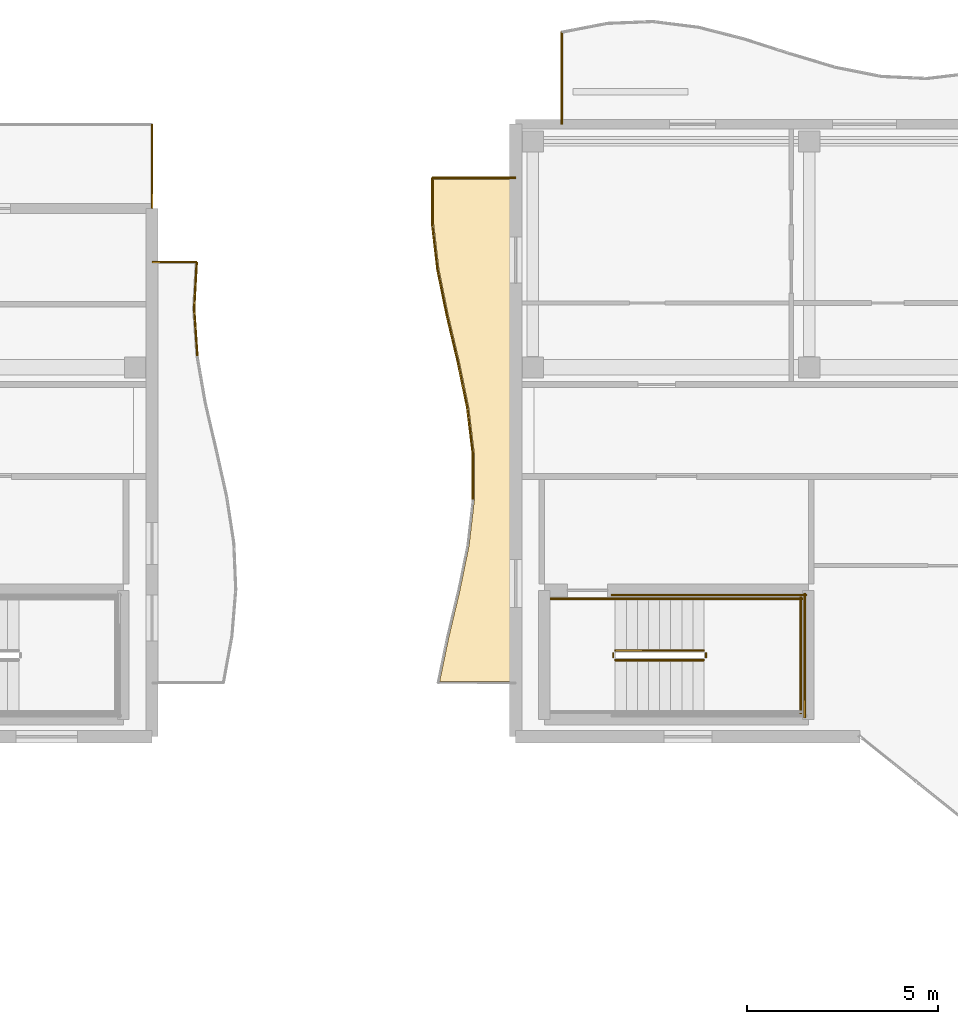
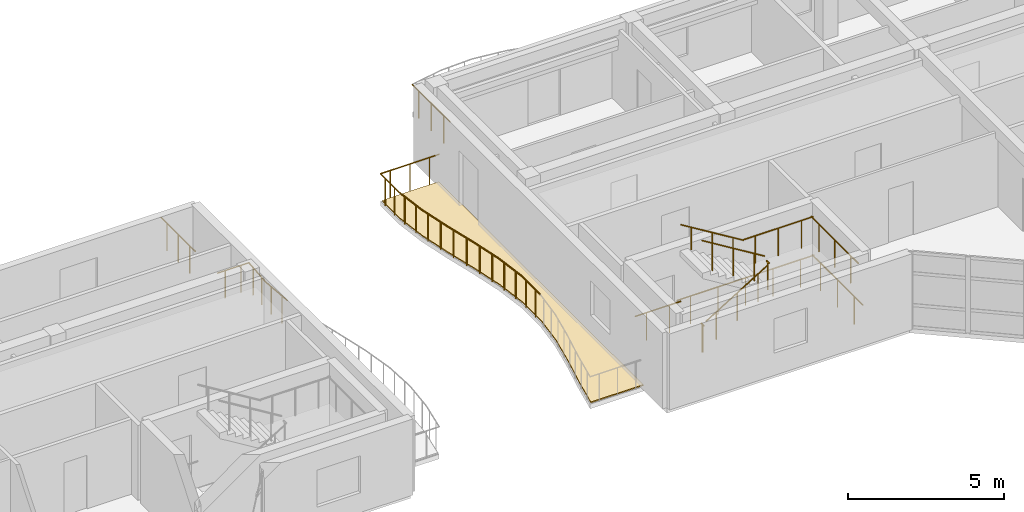
# One storey, part 52 of 54: 23 railings, 1 covering.
"""IFC4 building model written with IfcOpenShell, lengths in metres."""

import ifcopenshell
import ifcopenshell.guid

model = None  # the IFC model being written
_history = None  # IfcOwnerHistory: only IFC2X3 demands one
_inside = {}  # id of a spatial element -> (the spatial element, [elements in it])
_under = {}  # id of a project, library or spatial element -> (it, [spatial elements below it])
_declared = {}  # id of a project -> (the project, [libraries it declares])
_typed = {}  # id of a type object -> (the type object, [elements of that type])
_made_of = {}  # id of a material, layer set ... -> (it, [elements and type objects made of it])


def new_model(schema):
    """Start an empty IFC model of exactly this schema.

    Asked for "IFC4X3", IfcOpenShell would pick the latest addendum, in which some entities
    have other attributes; the version numbers below select the first issue.
    IFC2X3 requires an IfcOwnerHistory on every rooted entity: one is made here for all.
    """
    global model, _history
    if schema == "IFC4X3":
        model = ifcopenshell.file(schema_version=(4, 3, 0, 0))
    else:
        model = ifcopenshell.file(schema=schema)
    _inside.clear()
    _under.clear()
    _declared.clear()
    _typed.clear()
    _made_of.clear()
    _history = None
    if model.schema == "IFC2X3":
        org = make("IfcOrganization", Name="unknown")
        user = make(
            "IfcPersonAndOrganization",
            ThePerson=make("IfcPerson", FamilyName="unknown"),
            TheOrganization=org,
        )
        app = make(
            "IfcApplication",
            ApplicationDeveloper=org,
            Version="unknown",
            ApplicationFullName="unknown",
            ApplicationIdentifier="unknown",
        )
        _history = make(
            "IfcOwnerHistory",
            OwningUser=user,
            OwningApplication=app,
            ChangeAction="ADDED",
            CreationDate=0,
        )
    return model


def make(cls, **values):
    """One entity of the class cls with the attributes given. An attribute that is None is left unset."""
    return model.create_entity(
        cls, **{name: value for name, value in values.items() if value is not None}
    )


def rooted(cls, **values):
    """An entity with a GlobalId (a new one), such as an element, a storey or a relation."""
    return make(cls, GlobalId=ifcopenshell.guid.new(), OwnerHistory=_history, **values)


def si_unit(unit_type, name, prefix=None):
    """IfcSIUnit, for example si_unit("LENGTHUNIT", "METRE", prefix="MILLI")."""
    return make("IfcSIUnit", UnitType=unit_type, Prefix=prefix, Name=name)


def assignment(units):
    """IfcUnitAssignment: the units of a project."""
    return None if units is None else make("IfcUnitAssignment", Units=units)


def point(xyz):
    """IfcCartesianPoint."""
    return None if xyz is None else make("IfcCartesianPoint", Coordinates=xyz)


def direction(xyz):
    """IfcDirection."""
    return None if xyz is None else make("IfcDirection", DirectionRatios=xyz)


def frame(location, z_axis=None, x_axis=None):
    """IfcAxis2Placement3D, a coordinate frame: its origin and axes. An axis left out is left unset."""
    return make(
        "IfcAxis2Placement3D",
        Location=point(location),
        Axis=direction(z_axis),
        RefDirection=direction(x_axis),
    )


def frame_2d(location, x_axis=None):
    """IfcAxis2Placement2D, a coordinate frame in the plane: its origin and x axis."""
    return make(
        "IfcAxis2Placement2D", Location=point(location), RefDirection=direction(x_axis)
    )


def origin():
    """The frame at (0, 0, 0) with its axes left unset."""
    return frame((0.0, 0.0, 0.0))


def origin_2d():
    """The frame at (0, 0) in the plane with its x axis left unset."""
    return frame_2d((0.0, 0.0))


def place(relative_to, where):
    """IfcLocalPlacement: puts the frame where relative to a parent placement (None: the world)."""
    return make(
        "IfcLocalPlacement", PlacementRelTo=relative_to, RelativePlacement=where
    )


def context(
    kind, dimensions, precision=None, world=None, true_north=None, identifier=None
):
    """IfcGeometricRepresentationContext, for example the 3D "Model" context."""
    return make(
        "IfcGeometricRepresentationContext",
        ContextIdentifier=identifier,
        ContextType=kind,
        CoordinateSpaceDimension=dimensions,
        Precision=precision,
        WorldCoordinateSystem=world,
        TrueNorth=true_north,
    )


def subcontext(parent, identifier, kind, view, scale=None):
    """IfcGeometricRepresentationSubContext, for example "Body" below "Model"."""
    return make(
        "IfcGeometricRepresentationSubContext",
        ContextIdentifier=identifier,
        ContextType=kind,
        ParentContext=parent,
        TargetScale=scale,
        TargetView=view,
    )


def project(units=None, contexts=None):
    """IfcProject with its units and contexts."""
    return rooted(
        "IfcProject",
        Name="project",
        RepresentationContexts=contexts,
        UnitsInContext=assignment(units),
    )


def spatial(cls, under=None, at=None, **own):
    """A site, building, storey or space (cls), placed at a placement, below another one or the project."""
    s = rooted(cls, ObjectPlacement=at, **own)
    if under is not None:
        _under.setdefault(under.id(), (under, []))[1].append(s)
    return s


def polyline(points):
    """IfcPolyline through the points."""
    return make("IfcPolyline", Points=[point(p) for p in points])


def profile(cls, at=None, kind="AREA", **sizes):
    """A parametric profile (cls). Its sizes go by their IFC names, for example OverallWidth=200.0."""
    return make(cls, ProfileType=kind, Position=at, **sizes)


def circle(**sizes):
    """IfcCircleProfileDef."""
    return profile("IfcCircleProfileDef", **sizes)


def outline(outer, holes=None, kind="AREA"):
    """IfcArbitraryClosedProfileDef: a profile drawn as a closed curve; with holes, ...WithVoids."""
    if holes is None:
        return make("IfcArbitraryClosedProfileDef", ProfileType=kind, OuterCurve=outer)
    return make(
        "IfcArbitraryProfileDefWithVoids",
        ProfileType=kind,
        OuterCurve=outer,
        InnerCurves=holes,
    )


def extrude(swept, where, along, depth):
    """IfcExtrudedAreaSolid: the profile swept, set in the frame where, extruded along a direction by depth."""
    return make(
        "IfcExtrudedAreaSolid",
        SweptArea=swept,
        Position=where,
        ExtrudedDirection=direction(along),
        Depth=depth,
    )


def shape(context_of_items, identifier, shape_type, items):
    """IfcShapeRepresentation: the items that make up one representation, for example the "Body"."""
    return make(
        "IfcShapeRepresentation",
        ContextOfItems=context_of_items,
        RepresentationIdentifier=identifier,
        RepresentationType=shape_type,
        Items=items,
    )


def material(Name=None, Category=None):
    """IfcMaterial."""
    return make("IfcMaterial", Name=Name, Category=Category)


def layer(
    of_material, thickness, ventilated=None, Name=None, Category=None, Priority=None
):
    """IfcMaterialLayer: one layer of a wall or slab, of a material (None: an air gap)."""
    return make(
        "IfcMaterialLayer",
        Material=of_material,
        LayerThickness=thickness,
        IsVentilated=ventilated,
        Name=Name,
        Category=Category,
        Priority=Priority,
    )


def layer_set(layers, Name=None):
    """IfcMaterialLayerSet."""
    return make("IfcMaterialLayerSet", MaterialLayers=layers, LayerSetName=Name)


def made_of(thing, what):
    """Note that an element or type object is made of a material, layer set ...; save() writes the relation."""
    if what is not None:
        _made_of.setdefault(what.id(), (what, []))[1].append(thing)
    return thing


def type_object(cls, material=None, **own):
    """A type object (cls), such as IfcWallType, which elements share."""
    return made_of(rooted(cls, **own), material)


def element(
    cls,
    number,
    at=None,
    inside=None,
    cuts=None,
    type_object=None,
    material=None,
    context=None,
    identifier="Body",
    shape_type=None,
    held_by="IfcProductDefinitionShape",
    body=None,
    shapes=None,
    **own,
):
    """One element of the class cls, such as IfcWall. Its Tag is "e" and its number.

    at: its placement. inside: the storey or other place that contains it. cuts: it is an
    opening in that element (IfcRelVoidsElement). A single representation is given by context,
    identifier, shape_type and body (its items); several are given by shapes. held_by: the class
    of the entity that holds the representations. save() writes the other relations.
    """
    e = rooted(cls, Tag="e%d" % number, ObjectPlacement=at, **own)
    if body is not None:
        shapes = [shape(context, identifier, shape_type, body)]
    if shapes is not None:
        e.Representation = make(held_by, Representations=shapes)
    if inside is not None:
        _inside.setdefault(inside.id(), (inside, []))[1].append(e)
    if cuts is not None:
        rooted(
            "IfcRelVoidsElement", RelatingBuildingElement=cuts, RelatedOpeningElement=e
        )
    if type_object is not None:
        _typed.setdefault(type_object.id(), (type_object, []))[1].append(e)
    return made_of(e, material)


def aggregate(whole, parts):
    """IfcRelAggregates: a whole, such as a stair, and the parts it consists of."""
    return rooted("IfcRelAggregates", RelatingObject=whole, RelatedObjects=parts)


def save(model, path):
    """Write the relations noted so far, then the file.

    IfcRelAggregates (storeys below a building ...), IfcRelContainedInSpatialStructure (elements
    in a storey), IfcRelDefinesByType, IfcRelAssociatesMaterial and IfcRelDeclares: one each for
    every whole, place, type object, material and project.
    """
    for whole, parts in _under.values():
        aggregate(whole, parts)
    for where, things in _inside.values():
        rooted(
            "IfcRelContainedInSpatialStructure",
            RelatedElements=things,
            RelatingStructure=where,
        )
    for kind, things in _typed.values():
        rooted("IfcRelDefinesByType", RelatedObjects=things, RelatingType=kind)
    for what, things in _made_of.values():
        rooted("IfcRelAssociatesMaterial", RelatedObjects=things, RelatingMaterial=what)
    for by, libraries in _declared.values():
        rooted("IfcRelDeclares", RelatingContext=by, RelatedDefinitions=libraries)
    model.write(path)


model = new_model("IFC4")

# Units and contexts
model_context = context("Model", 3, precision=1e-05, world=origin(), true_north=direction((0.0, 1.0)))
body_context = subcontext(model_context, "Body", "Model", "MODEL_VIEW")
ifc_project = project(units=[si_unit("LENGTHUNIT", "METRE"), si_unit("AREAUNIT", "SQUARE_METRE"), si_unit("VOLUMEUNIT", "CUBIC_METRE"), si_unit("PLANEANGLEUNIT", "RADIAN"), si_unit("MASSUNIT", "GRAM", prefix="KILO")], contexts=[model_context])

# Site, building, storey
site_placement = place(None, origin())
site = spatial("IfcSite", under=ifc_project, at=site_placement, CompositionType="ELEMENT")
building_placement = place(site_placement, origin())
building = spatial("IfcBuilding", under=site, at=building_placement, Name="Keldmere Railside Commons", CompositionType="ELEMENT")
storey_placement = place(building_placement, frame((0.0, 0.0, 26.56005859375)))
storey = spatial("IfcBuildingStorey", under=building, at=storey_placement, Name="L08", CompositionType="ELEMENT", Elevation=26.56005859375)

# Railings
ifc_material_1 = material(Name="Steel F-24 (S235)", Category="steel")
railing_type_1 = type_object("IfcRailingType", Name="Balcony & Terrace Steel Balustrade 1100", PredefinedType="BALUSTRADE", material=ifc_material_1)
railing_1_placement = place(storey_placement, frame((138.684814453125, 109.95556640625, 0.0)))
element("IfcRailing", 1, at=railing_1_placement, inside=storey, type_object=railing_type_1, Name="GR-1 GRD-L08-2819", PredefinedType="BALUSTRADE", context=body_context, shape_type="SweptSolid", body=[
    extrude(circle(Radius=0.02392578125, at=origin_2d()), frame((0.0, 0.0, 1.076171875), z_axis=(-0.069150890051, 0.997606212092, 0.0), x_axis=(-0.997606212092, -0.069150890051, 0.0)), (0.0, 0.0, 1.0), 1.22509765625),
    extrude(circle(Radius=0.02099609375, at=origin_2d()), frame((-0.021240234375, 0.3056640625, 0.0)), (0.0, 0.0, 1.0), 1.048095703125),
    extrude(circle(Radius=0.02099609375, at=origin_2d()), frame((-0.0634765625, 0.91650390625, 0.0)), (0.0, 0.0, 1.0), 1.048095703125),
])
railing_2_placement = place(storey_placement, frame((138.60009765625, 111.177734375, 0.0)))
element("IfcRailing", 2, at=railing_2_placement, inside=storey, type_object=railing_type_1, Name="GR-1 GRD-L08-2820", PredefinedType="BALUSTRADE", context=body_context, shape_type="SweptSolid", body=[
    extrude(circle(Radius=0.02392578125, at=origin_2d()), frame((0.0, 0.0, 1.076171875), z_axis=(0.055845592651, 0.998439417181, 0.0), x_axis=(-0.998439417181, 0.055845592651, 0.0)), (0.0, 0.0, 1.0), 1.22412109375),
    extrude(circle(Radius=0.02099609375, at=origin_2d()), frame((0.01708984375, 0.3056640625, 0.0)), (0.0, 0.0, 1.0), 1.048095703125),
    extrude(circle(Radius=0.02099609375, at=origin_2d()), frame((0.05126953125, 0.91650390625, 0.0)), (0.0, 0.0, 1.0), 1.048095703125),
])
railing_3_placement = place(storey_placement, frame((138.66845703125, 112.39990234375, 0.0)))
element("IfcRailing", 3, at=railing_3_placement, inside=storey, type_object=railing_type_1, Name="GR-1 GRD-L08-2821", PredefinedType="BALUSTRADE", context=body_context, shape_type="SweptSolid", body=[
    extrude(circle(Radius=0.02392578125, at=origin_2d()), frame((0.0, 0.0, 1.076171875), z_axis=(-1.0, 0.0, 0.0), x_axis=(0.0, -1.0, 0.0)), (0.0, 0.0, 1.0), 1.16845703125),
    extrude(circle(Radius=0.02099609375, at=origin_2d()), frame((-0.2919921875, 0.0, 0.0)), (0.0, 0.0, 1.0), 1.048095703125),
    extrude(circle(Radius=0.02099609375, at=origin_2d()), frame((-0.87646484375, 0.0, 0.0)), (0.0, 0.0, 1.0), 1.048095703125),
])
railing_4_placement = place(storey_placement, frame((137.5, 116.0, 0.0)))
element("IfcRailing", 4, at=railing_4_placement, inside=storey, type_object=railing_type_1, Name="GR-1 GRD-L08-2838", PredefinedType="BALUSTRADE", context=body_context, shape_type="SweptSolid", body=[
    extrude(circle(Radius=0.02392578125, at=origin_2d()), frame((0.0, 0.0, 1.076171875), z_axis=(0.0, -1.0, 0.0), x_axis=(1.0, 0.0, 0.0)), (0.0, 0.0, 1.0), 2.199951171875),
    extrude(circle(Radius=0.02099609375, at=origin_2d()), frame((0.0, -0.36669921875, 0.0)), (0.0, 0.0, 1.0), 1.048095703125),
    extrude(circle(Radius=0.02099609375, at=origin_2d()), frame((0.0, -1.10009765625, 0.0)), (0.0, 0.0, 1.0), 1.048095703125),
    extrude(circle(Radius=0.02099609375, at=origin_2d()), frame((0.0, -1.833251953125, 0.0)), (0.0, 0.0, 1.0), 1.048095703125),
])
railing_5_placement = place(storey_placement, frame((148.199951171875, 116.0, 0.0)))
element("IfcRailing", 5, at=railing_5_placement, inside=storey, type_object=railing_type_1, Name="GR-1 GRD-L08-4087", PredefinedType="BALUSTRADE", context=body_context, shape_type="SweptSolid", body=[
    extrude(circle(Radius=0.02392578125, at=origin_2d()), frame((0.0, 0.0, 1.076171875), z_axis=(0.0, 1.0, 0.0), x_axis=(-1.0, 0.0, 0.0)), (0.0, 0.0, 1.0), 2.413818359375),
    extrude(circle(Radius=0.02099609375, at=origin_2d()), frame((0.0, 0.40234375, 0.0)), (0.0, 0.0, 1.0), 1.048095703125),
    extrude(circle(Radius=0.02099609375, at=origin_2d()), frame((0.0, 1.20703125, 0.0)), (0.0, 0.0, 1.0), 1.048095703125),
    extrude(circle(Radius=0.02099609375, at=origin_2d()), frame((0.0, 2.011474609375, 0.0)), (0.0, 0.0, 1.0), 1.048095703125),
])
railing_6_placement = place(storey_placement, frame((145.8828125, 106.199951171875, 0.0)))
element("IfcRailing", 6, at=railing_6_placement, inside=storey, type_object=railing_type_1, Name="GR-1 GRD-L08-4199", PredefinedType="BALUSTRADE", context=body_context, shape_type="SweptSolid", body=[
    extrude(circle(Radius=0.02392578125, at=origin_2d()), frame((0.0, 0.0, 1.076171875), z_axis=(-0.002644955143, 0.9999965021, 0.0), x_axis=(-0.9999965021, -0.002644955143, 0.0)), (0.0, 0.0, 1.0), 1.199951171875),
    extrude(circle(Radius=0.02099609375, at=origin_2d()), frame((-0.000732421875, 0.300048828125, 0.0)), (0.0, 0.0, 1.0), 1.048095703125),
    extrude(circle(Radius=0.02099609375, at=origin_2d()), frame((-0.00244140625, 0.89990234375, 0.0)), (0.0, 0.0, 1.0), 1.048095703125),
])
railing_7_placement = place(storey_placement, frame((145.879638671875, 107.39990234375, 0.0)))
element("IfcRailing", 7, at=railing_7_placement, inside=storey, type_object=railing_type_1, Name="GR-1 GRD-L08-4200", PredefinedType="BALUSTRADE", context=body_context, shape_type="SweptSolid", body=[
    extrude(circle(Radius=0.02392578125, at=origin_2d()), frame((0.0, 0.0, 1.076171875), z_axis=(-0.119758384576, 0.992803066738, 0.0), x_axis=(-0.992803066738, -0.119758384576, 0.0)), (0.0, 0.0, 1.0), 1.208984375),
    extrude(circle(Radius=0.02099609375, at=origin_2d()), frame((-0.0361328125, 0.300048828125, 0.0)), (0.0, 0.0, 1.0), 1.048095703125),
    extrude(circle(Radius=0.02099609375, at=origin_2d()), frame((-0.108642578125, 0.900146484375, 0.0)), (0.0, 0.0, 1.0), 1.048095703125),
])
railing_8_placement = place(storey_placement, frame((145.73486328125, 108.60009765625, 0.0)))
element("IfcRailing", 8, at=railing_8_placement, inside=storey, type_object=railing_type_1, Name="GR-1 GRD-L08-4201", PredefinedType="BALUSTRADE", context=body_context, shape_type="SweptSolid", body=[
    extrude(circle(Radius=0.02392578125, at=origin_2d()), frame((0.0, 0.0, 1.076171875), z_axis=(-0.202434299051, 0.979295846294, 0.0), x_axis=(-0.979295846294, -0.202434299051, 0.0)), (0.0, 0.0, 1.0), 1.225341796875),
    extrude(circle(Radius=0.02099609375, at=origin_2d()), frame((-0.06201171875, 0.300048828125, 0.0)), (0.0, 0.0, 1.0), 1.048095703125),
    extrude(circle(Radius=0.02099609375, at=origin_2d()), frame((-0.18603515625, 0.89990234375, 0.0)), (0.0, 0.0, 1.0), 1.048095703125),
])
railing_9_placement = place(storey_placement, frame((145.48681640625, 109.800048828125, 0.0)))
element("IfcRailing", 9, at=railing_9_placement, inside=storey, type_object=railing_type_1, Name="GR-1 GRD-L08-4202", PredefinedType="BALUSTRADE", context=body_context, shape_type="SweptSolid", body=[
    extrude(circle(Radius=0.02392578125, at=origin_2d()), frame((0.0, 0.0, 1.076171875), z_axis=(-0.231013872374, 0.972950456483, 0.0), x_axis=(-0.972950456483, -0.231013872374, 0.0)), (0.0, 0.0, 1.0), 1.2333984375),
    extrude(circle(Radius=0.02099609375, at=origin_2d()), frame((-0.0712890625, 0.300048828125, 0.0)), (0.0, 0.0, 1.0), 1.048095703125),
    extrude(circle(Radius=0.02099609375, at=origin_2d()), frame((-0.213623046875, 0.89990234375, 0.0)), (0.0, 0.0, 1.0), 1.048095703125),
])
railing_10_placement = place(storey_placement, frame((145.201904296875, 111.0, 0.0)))
element("IfcRailing", 10, at=railing_10_placement, inside=storey, type_object=railing_type_1, Name="GR-1 GRD-L08-4203", PredefinedType="BALUSTRADE", context=body_context, shape_type="SweptSolid", body=[
    extrude(circle(Radius=0.02392578125, at=origin_2d()), frame((0.0, 0.0, 1.076171875), z_axis=(-0.199948294874, 0.979806449957, 0.0), x_axis=(-0.979806449957, -0.199948294874, 0.0)), (0.0, 0.0, 1.0), 1.224609375),
    extrude(circle(Radius=0.02099609375, at=origin_2d()), frame((-0.061279296875, 0.300048828125, 0.0)), (0.0, 0.0, 1.0), 1.048095703125),
    extrude(circle(Radius=0.02099609375, at=origin_2d()), frame((-0.18359375, 0.89990234375, 0.0)), (0.0, 0.0, 1.0), 1.048095703125),
])
railing_11_placement = place(storey_placement, frame((144.95703125, 112.199951171875, 0.0)))
element("IfcRailing", 11, at=railing_11_placement, inside=storey, type_object=railing_type_1, Name="GR-1 GRD-L08-4204", PredefinedType="BALUSTRADE", context=body_context, shape_type="SweptSolid", body=[
    extrude(circle(Radius=0.02392578125, at=origin_2d()), frame((0.0, 0.0, 1.076171875), z_axis=(-0.115598238422, 0.993296052179, 0.0), x_axis=(-0.993296052179, -0.115598238422, 0.0)), (0.0, 0.0, 1.0), 1.2080078125),
    extrude(circle(Radius=0.02099609375, at=origin_2d()), frame((-0.034912109375, 0.300048828125, 0.0)), (0.0, 0.0, 1.0), 1.048095703125),
    extrude(circle(Radius=0.02099609375, at=origin_2d()), frame((-0.104736328125, 0.89990234375, 0.0)), (0.0, 0.0, 1.0), 1.048095703125),
])
railing_12_placement = place(storey_placement, frame((144.8173828125, 113.39990234375, 0.0)))
element("IfcRailing", 12, at=railing_12_placement, inside=storey, type_object=railing_type_1, Name="GR-1 GRD-L08-4205", PredefinedType="BALUSTRADE", context=body_context, shape_type="SweptSolid", body=[
    extrude(circle(Radius=0.02392578125, at=origin_2d()), frame((0.0, 0.0, 1.076171875), z_axis=(0.002441001678, 0.999997020751, 0.0), x_axis=(-0.999997020751, 0.002441001678, 0.0)), (0.0, 0.0, 1.0), 1.2001953125),
    extrude(circle(Radius=0.02099609375, at=origin_2d()), frame((0.000732421875, 0.300048828125, 0.0)), (0.0, 0.0, 1.0), 1.048095703125),
    extrude(circle(Radius=0.02099609375, at=origin_2d()), frame((0.002197265625, 0.900146484375, 0.0)), (0.0, 0.0, 1.0), 1.048095703125),
])
railing_13_placement = place(storey_placement, frame((144.8203125, 114.60009765625, 0.0)))
element("IfcRailing", 13, at=railing_13_placement, inside=storey, type_object=railing_type_1, Name="GR-1 GRD-L08-4206", PredefinedType="BALUSTRADE", context=body_context, shape_type="SweptSolid", body=[
    extrude(circle(Radius=0.02392578125, at=origin_2d()), frame((0.0, 0.0, 1.076171875), z_axis=(1.0, 0.0, 0.0), x_axis=(0.0, 1.0, 0.0)), (0.0, 0.0, 1.0), 2.1796875),
    extrude(circle(Radius=0.02099609375, at=origin_2d()), frame((0.36328125, 0.0, 0.0)), (0.0, 0.0, 1.0), 1.048095703125),
    extrude(circle(Radius=0.02099609375, at=origin_2d()), frame((1.08984375, 0.0, 0.0)), (0.0, 0.0, 1.0), 1.048095703125),
    extrude(circle(Radius=0.02099609375, at=origin_2d()), frame((1.81640625, 0.0, 0.0)), (0.0, 0.0, 1.0), 1.048095703125),
])
railing_type_2 = type_object("IfcRailingType", Name="Stair Well Steel Guardrail 1100", PredefinedType="BALUSTRADE", material=ifc_material_1)
railing_14_placement = place(storey_placement, frame((149.60009765625, 102.0, 0.177734375)))
element("IfcRailing", 14, at=railing_14_placement, inside=storey, type_object=railing_type_2, Name="L08 ST-A2 stair guard 1", PredefinedType="BALUSTRADE", context=body_context, shape_type="SweptSolid", body=[
    extrude(circle(Radius=0.02392578125, at=origin_2d()), frame((0.0, 0.0, 1.076171875), z_axis=(0.85255353654, 0.0, 0.522639902162), x_axis=(0.0, 1.0, 0.0)), (0.0, 0.0, 1.0), 2.720947265625),
    extrude(circle(Radius=0.02099609375, at=origin_2d()), frame((0.38671875, 0.0, 0.237060546875)), (0.0, 0.0, 1.0), 1.048095703125),
    extrude(circle(Radius=0.02099609375, at=origin_2d()), frame((1.159912109375, 0.0, 0.7109375)), (0.0, 0.0, 1.0), 1.048095703125),
    extrude(circle(Radius=0.02099609375, at=origin_2d()), frame((1.93310546875, 0.0, 1.18505859375)), (0.0, 0.0, 1.0), 1.048095703125),
])
railing_15_placement = place(storey_placement, frame((151.969970703125, 102.050048828125, 1.599853515625)))
element("IfcRailing", 15, at=railing_15_placement, inside=storey, type_object=railing_type_2, Name="L08 ST-A2 stair guard 2", PredefinedType="BALUSTRADE", context=body_context, shape_type="SweptSolid", body=[
    extrude(circle(Radius=0.02392578125, at=origin_2d()), frame((0.0, 0.0, 1.076171875), z_axis=(0.0, 1.0, 0.0), x_axis=(-1.0, 0.0, 0.0)), (0.0, 0.0, 1.0), 0.14990234375),
    extrude(circle(Radius=0.02099609375, at=origin_2d()), frame((0.0, 0.074951171875, 0.0)), (0.0, 0.0, 1.0), 1.048095703125),
])
railing_16_placement = place(storey_placement, frame((151.919921875, 103.60009765625, 1.599853515625)))
element("IfcRailing", 16, at=railing_16_placement, inside=storey, type_object=railing_type_2, Name="L08 ST-A2 stair guard 4", PredefinedType="BALUSTRADE", context=body_context, shape_type="SweptSolid", body=[
    extrude(circle(Radius=0.02392578125, at=origin_2d()), frame((0.0, 0.0, 1.076171875), z_axis=(1.0, 0.0, 0.0), x_axis=(0.0, 1.0, 0.0)), (0.0, 0.0, 1.0), 2.580078125),
    extrude(circle(Radius=0.02099609375, at=origin_2d()), frame((0.429931640625, 0.0, 0.0)), (0.0, 0.0, 1.0), 1.048095703125),
    extrude(circle(Radius=0.02099609375, at=origin_2d()), frame((1.2900390625, 0.0, 0.0)), (0.0, 0.0, 1.0), 1.048095703125),
    extrude(circle(Radius=0.02099609375, at=origin_2d()), frame((2.150146484375, 0.0, 0.0)), (0.0, 0.0, 1.0), 1.048095703125),
])
railing_17_placement = place(storey_placement, frame((154.449951171875, 100.60009765625, 1.599853515625)))
element("IfcRailing", 17, at=railing_17_placement, inside=storey, type_object=railing_type_2, Name="L08 ST-A2 stair guard 5", PredefinedType="BALUSTRADE", context=body_context, shape_type="SweptSolid", body=[
    extrude(circle(Radius=0.02392578125, at=origin_2d()), frame((0.0, 0.0, 1.076171875), z_axis=(0.0, 1.0, 0.0), x_axis=(-1.0, 0.0, 0.0)), (0.0, 0.0, 1.0), 3.0498046875),
    extrude(circle(Radius=0.02099609375, at=origin_2d()), frame((0.0, 0.50830078125, 0.0)), (0.0, 0.0, 1.0), 1.048095703125),
    extrude(circle(Radius=0.02099609375, at=origin_2d()), frame((0.0, 1.52490234375, 0.0)), (0.0, 0.0, 1.0), 1.048095703125),
    extrude(circle(Radius=0.02099609375, at=origin_2d()), frame((0.0, 2.54150390625, 0.0)), (0.0, 0.0, 1.0), 1.048095703125),
])
railing_18_placement = place(storey_placement, frame((151.919921875, 102.25, 1.77783203125)))
element("IfcRailing", 18, at=railing_18_placement, inside=storey, type_object=railing_type_2, Name="L08 ST-A2 stair guard 6", PredefinedType="BALUSTRADE", context=body_context, shape_type="SweptSolid", body=[
    extrude(circle(Radius=0.02392578125, at=origin_2d()), frame((0.0, 0.0, 1.076171875), z_axis=(-0.85255353654, 0.0, 0.522639902162), x_axis=(0.0, -1.0, 0.0)), (0.0, 0.0, 1.0), 2.720947265625),
    extrude(circle(Radius=0.02099609375, at=origin_2d()), frame((-0.38671875, 0.0, 0.237060546875)), (0.0, 0.0, 1.0), 1.048095703125),
    extrude(circle(Radius=0.02099609375, at=origin_2d()), frame((-1.159912109375, 0.0, 0.7109375)), (0.0, 0.0, 1.0), 1.048095703125),
    extrude(circle(Radius=0.02099609375, at=origin_2d()), frame((-1.93310546875, 0.0, 1.18505859375)), (0.0, 0.0, 1.0), 1.048095703125),
])
railing_19_placement = place(storey_placement, frame((149.550048828125, 102.050048828125, 0.0)))
element("IfcRailing", 19, at=railing_19_placement, inside=storey, type_object=railing_type_2, Name="L08 ST-A2 stair guard 7", PredefinedType="BALUSTRADE", context=body_context, shape_type="SweptSolid", body=[
    extrude(circle(Radius=0.02392578125, at=origin_2d()), frame((0.0, 0.0, 1.076171875), z_axis=(0.0, 1.0, 0.0), x_axis=(-1.0, 0.0, 0.0)), (0.0, 0.0, 1.0), 0.14990234375),
    extrude(circle(Radius=0.02099609375, at=origin_2d()), frame((0.0, 0.074951171875, 0.0)), (0.0, 0.0, 1.0), 1.048095703125),
])
railing_20_placement = place(storey_placement, frame((147.89990234375, 103.60009765625, 0.0)))
element("IfcRailing", 20, at=railing_20_placement, inside=storey, type_object=railing_type_2, Name="L08 ST-A2 stair guard 9", PredefinedType="BALUSTRADE", context=body_context, shape_type="SweptSolid", body=[
    extrude(circle(Radius=0.02392578125, at=origin_2d()), frame((0.0, 0.0, 1.076171875), z_axis=(1.0, 0.0, 0.0), x_axis=(0.0, 1.0, 0.0)), (0.0, 0.0, 1.0), 1.7001953125),
    extrude(circle(Radius=0.02099609375, at=origin_2d()), frame((0.425048828125, 0.0, 0.0)), (0.0, 0.0, 1.0), 1.048095703125),
    extrude(circle(Radius=0.02099609375, at=origin_2d()), frame((1.275146484375, 0.0, 0.0)), (0.0, 0.0, 1.0), 1.048095703125),
])
railing_21_placement = place(storey_placement, frame((149.5, 103.699951171875, 0.0)))
element("IfcRailing", 21, at=railing_21_placement, inside=storey, type_object=railing_type_2, Name="L08 ST-A2 stair guard 11", PredefinedType="BALUSTRADE", context=body_context, shape_type="SweptSolid", body=[
    extrude(circle(Radius=0.02392578125, at=origin_2d()), frame((0.0, 0.0, 1.076171875), z_axis=(1.0, 0.0, 0.0), x_axis=(0.0, 1.0, 0.0)), (0.0, 0.0, 1.0), 5.10009765625),
    extrude(circle(Radius=0.02099609375, at=origin_2d()), frame((0.510009765625, 0.0, 0.0)), (0.0, 0.0, 1.0), 1.048095703125),
    extrude(circle(Radius=0.02099609375, at=origin_2d()), frame((1.530029296875, 0.0, 0.0)), (0.0, 0.0, 1.0), 1.048095703125),
    extrude(circle(Radius=0.02099609375, at=origin_2d()), frame((2.550048828125, 0.0, 0.0)), (0.0, 0.0, 1.0), 1.048095703125),
    extrude(circle(Radius=0.02099609375, at=origin_2d()), frame((3.570068359375, 0.0, 0.0)), (0.0, 0.0, 1.0), 1.048095703125),
    extrude(circle(Radius=0.02099609375, at=origin_2d()), frame((4.590087890625, 0.0, 0.0)), (0.0, 0.0, 1.0), 1.048095703125),
])
railing_22_placement = place(storey_placement, frame((154.550048828125, 100.5, 0.0)))
element("IfcRailing", 22, at=railing_22_placement, inside=storey, type_object=railing_type_2, Name="L08 ST-A2 stair guard 12", PredefinedType="BALUSTRADE", context=body_context, shape_type="SweptSolid", body=[
    extrude(circle(Radius=0.02392578125, at=origin_2d()), frame((0.0, 0.0, 1.076171875), z_axis=(0.0, 1.0, 0.0), x_axis=(-1.0, 0.0, 0.0)), (0.0, 0.0, 1.0), 3.25),
    extrude(circle(Radius=0.02099609375, at=origin_2d()), frame((0.0, 0.541748046875, 0.0)), (0.0, 0.0, 1.0), 1.048095703125),
    extrude(circle(Radius=0.02099609375, at=origin_2d()), frame((0.0, 1.625, 0.0)), (0.0, 0.0, 1.0), 1.048095703125),
    extrude(circle(Radius=0.02099609375, at=origin_2d()), frame((0.0, 2.708251953125, 0.0)), (0.0, 0.0, 1.0), 1.048095703125),
])
railing_type_3 = type_object("IfcRailingType", Name="Wall-Mounted Tubular Steel Handrail 900", PredefinedType="HANDRAIL", material=ifc_material_1)
railing_23_placement = place(storey_placement, frame((151.919921875, 103.60009765625, 1.77783203125)))
element("IfcRailing", 23, at=railing_23_placement, inside=storey, type_object=railing_type_3, Name="L08 ST-A2 stair handrail 2", PredefinedType="HANDRAIL", context=body_context, shape_type="SweptSolid", body=[
    extrude(circle(Radius=0.02392578125, at=origin_2d()), frame((0.0, 0.0, 0.8759765625), z_axis=(-0.85255353654, 0.0, 0.522639902162), x_axis=(0.0, -1.0, 0.0)), (0.0, 0.0, 1.0), 2.720947265625),
    extrude(circle(Radius=0.02099609375, at=origin_2d()), frame((-0.38671875, 0.0, 0.237060546875)), (0.0, 0.0, 1.0), 0.847900390625),
    extrude(circle(Radius=0.02099609375, at=origin_2d()), frame((-1.159912109375, 0.0, 0.7109375)), (0.0, 0.0, 1.0), 0.847900390625),
    extrude(circle(Radius=0.02099609375, at=origin_2d()), frame((-1.93310546875, 0.0, 1.18505859375)), (0.0, 0.0, 1.0), 0.847900390625),
])

# Covering
ifc_material_2 = material(Name="White Precast Concrete C35/45", Category="concrete")
ifc_layer = layer(ifc_material_2, 0.044921875, Name="White Architectural Balcony Ribbon Cladding 45")
ifc_layer_set = layer_set([ifc_layer], Name="White Precast Concrete C35/45")
covering_type = type_object("IfcCoveringType", Name="White Architectural Balcony Ribbon Cladding 45", PredefinedType="FLOORING", material=ifc_layer_set)
covering_placement = place(storey_placement, origin())
element("IfcCovering", 24, at=covering_placement, inside=storey, type_object=covering_type, Name="CLG-WB A L08 WW White Balcony Ribbon", PredefinedType="FLOORING", context=body_context, shape_type="SweptSolid", body=[
    extrude(outline(polyline([(146.9599609375, 114.56005859375), (144.860107421875, 114.56005859375), (144.857421875, 113.40234375), (144.99658203125, 112.206298828125), (145.2412109375, 111.008544921875), (145.525634765625, 109.80908203125), (145.52587890625, 109.80810546875), (145.77392578125, 108.608154296875), (145.7744140625, 108.604736328125), (145.91943359375, 107.40478515625), (145.919677734375, 107.400146484375), (145.922607421875, 106.2001953125), (145.92236328125, 106.1953125), (145.78271484375, 104.995361328125), (145.7822265625, 104.991943359375), (145.537109375, 103.7919921875), (145.536865234375, 103.790771484375), (145.25244140625, 102.59130859375), (145.014404296875, 101.43994140625), (146.9599609375, 101.43994140625), (146.9599609375, 114.56005859375)])), origin(), (0.0, 0.0, 1.0), 0.044921875),
])

save(model, "model.ifc")
